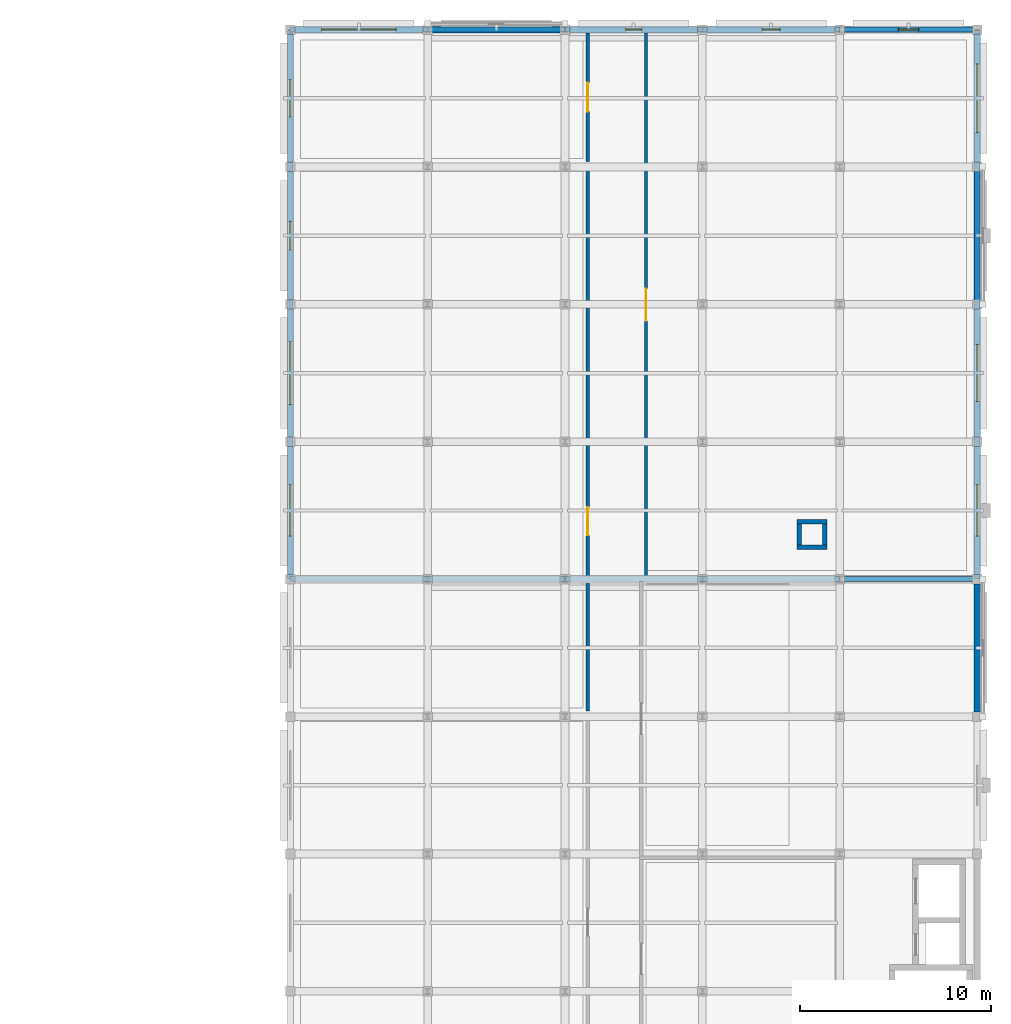
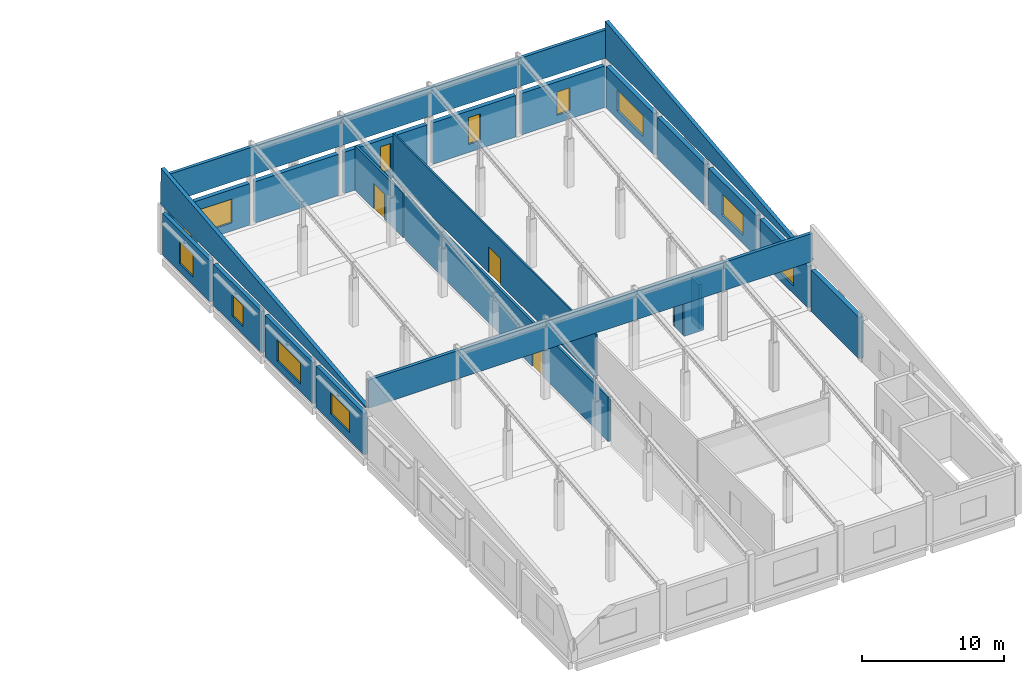
# One storey, part 26 of 33: 29 walls, 11 windows, 3 doors, 14 openings.
"""IFC4 building model written with IfcOpenShell, lengths in metres."""

from ifc_helpers import new_model, si_unit, direction, frame, frame_2d, origin, place, context, subcontext, project, spatial, polyline, rectangle, outline, extrude, material, layer, layer_set, type_object, element, fill, save


model = new_model("IFC4")

# Units and contexts
model_context = context("Model", 3, precision=1e-05, world=origin(), true_north=direction((0.0, 1.0)))
body_context = subcontext(model_context, "Body", "Model", "MODEL_VIEW")
ifc_project = project(units=[si_unit("LENGTHUNIT", "METRE"), si_unit("AREAUNIT", "SQUARE_METRE"), si_unit("VOLUMEUNIT", "CUBIC_METRE"), si_unit("PLANEANGLEUNIT", "RADIAN"), si_unit("MASSUNIT", "GRAM", prefix="KILO")], contexts=[model_context])

# Site, building, storey
site_placement = place(None, origin())
site = spatial("IfcSite", under=ifc_project, at=site_placement, CompositionType="ELEMENT")
building_placement = place(site_placement, origin())
building = spatial("IfcBuilding", under=site, at=building_placement, Name="Valkovuoma Quantum and Materials Research Institute", CompositionType="ELEMENT")
storey_placement = place(building_placement, frame((0.0, 0.0, 25.60009765625)))
storey = spatial("IfcBuildingStorey", under=building, at=storey_placement, Name="L06", CompositionType="ELEMENT", Elevation=25.60009765625)

# Walls
ifc_material_1 = material(Name="Precast concrete C40/50", Category="concrete")
ifc_layer_1 = layer(ifc_material_1, 0.300048828125)
ifc_layer_set_1 = layer_set([ifc_layer_1], Name="Precast concrete C40/50")
wall_type_1 = type_object("IfcWallType", Name="Wall-W-CHK300", PredefinedType="SHEAR", material=ifc_layer_set_1)
for number, where, z_axis, x_axis, name in (
    (1, (129.60009765625, 86.39990234375, 4.159912109375), (0.0, 0.0, 1.0), (0.0, 1.0, 0.0), "L06 VOL4 sawtooth cheek wall 2W"),
    (2, (165.60009765625, 86.39990234375, 4.159912109375), (0.0, 0.0, 1.0), (0.0, 1.0, 0.0), "L06 VOL4 sawtooth cheek wall 2E"),
):
    element("IfcWall", number, at=place(storey_placement, frame(where, z_axis=z_axis, x_axis=x_axis)), inside=storey, type_object=wall_type_1, Name=name, PredefinedType="SHEAR", context=body_context, shape_type="SweptSolid", body=[
        extrude(outline(polyline([(0.0, 0.0), (28.800048828125, 0.0), (28.800048828125, 0.119873046875), (28.760009765625, 3.119873046875), (0.0, 0.119873046875), (0.0, 0.0)])), frame((0.0, 0.14990234375, 0.0), z_axis=(0.0, -1.0, 0.0), x_axis=(1.0, 0.0, 0.0)), (0.0, 0.0, 1.0), 0.300048828125),
    ])

# Wall, opening, window
ifc_material_2 = material(Name="Precast concrete C40/50", Category="concrete")
ifc_layer_2 = layer(ifc_material_2, 0.300048828125)
ifc_layer_set_2 = layer_set([ifc_layer_2], Name="Precast concrete C40/50")
wall_type_2 = type_object("IfcWallType", Name="Wall-W-EXT300", PredefinedType="SOLIDWALL", material=ifc_layer_set_2)
wall_1_placement = place(storey_placement, frame((129.60009765625, 86.639892578125, 0.0), z_axis=(0.0, 0.0, 1.0), x_axis=(0.0, 1.0, 0.0)))
wall_1 = element("IfcWall", 3, at=wall_1_placement, inside=storey, type_object=wall_type_2, Name="L06 exterior wall 0376", PredefinedType="SOLIDWALL", context=body_context, shape_type="SweptSolid", body=[
    extrude(rectangle(XDim=6.72021484375, YDim=0.300048828125, at=frame_2d((3.360107421875, 0.0))), origin(), (0.0, 0.0, 1.0), 3.5498046875),
])
opening_1_placement = place(wall_1_placement, frame((2.010009765625, 0.0, 0.679931640625)))
opening_1 = element("IfcOpeningElement", 4, at=opening_1_placement, cuts=wall_1, Name="Opening WN-WL11", PredefinedType="OPENING", context=body_context, shape_type="SweptSolid", body=[
    extrude(rectangle(XDim=2.699951171875, YDim=1.800048828125, at=frame_2d((1.35009765625, 0.89990234375))), frame((0.0, 0.16015625, 0.0), z_axis=(0.0, -1.0, 0.0), x_axis=(1.0, 0.0, 0.0)), (0.0, 0.0, 1.0), 0.320068359375),
])
ifc_material_3 = material(Name="Triple low-E argon glazing in thermally broken aluminium frame", Category="aluminium")
window_type_1 = type_object("IfcWindowType", Name="Win-WN-WL11", PartitioningType="SINGLE_PANEL", PredefinedType="WINDOW", material=ifc_material_3)
window_1_placement = place(opening_1_placement, origin())
window_1 = element("IfcWindow", 5, at=window_1_placement, inside=storey, type_object=window_type_1, Name="L06 window 0370", OverallHeight=1.800048828125, OverallWidth=2.699951171875, PartitioningType="SINGLE_PANEL", PredefinedType="WINDOW", context=body_context, shape_type="SweptSolid", body=[
    extrude(rectangle(XDim=2.699951171875, YDim=1.800048828125, at=frame_2d((1.35009765625, 0.89990234375))), frame((0.0, 0.030029296875, 0.0), z_axis=(0.0, -1.0, 0.0), x_axis=(1.0, 0.0, 0.0)), (0.0, 0.0, 1.0), 0.06005859375),
])
fill(opening_1, window_1)

wall_2_placement = place(storey_placement, frame((129.60009765625, 93.840087890625, 0.0), z_axis=(0.0, 0.0, 1.0), x_axis=(0.0, 1.0, 0.0)))
wall_2 = element("IfcWall", 6, at=wall_2_placement, inside=storey, type_object=wall_type_2, Name="L06 exterior wall 0377", PredefinedType="SOLIDWALL", context=body_context, shape_type="SweptSolid", body=[
    extrude(rectangle(XDim=6.719970703125, YDim=0.300048828125, at=frame_2d((3.35986328125, 0.0))), origin(), (0.0, 0.0, 1.0), 3.5498046875),
])
opening_2_placement = place(wall_2_placement, frame((1.7099609375, 0.0, 0.679931640625)))
opening_2 = element("IfcOpeningElement", 7, at=opening_2_placement, cuts=wall_2, Name="Opening WN-WL13", PredefinedType="OPENING", context=body_context, shape_type="SweptSolid", body=[
    extrude(rectangle(XDim=3.300048828125, YDim=1.800048828125, at=frame_2d((1.64990234375, 0.89990234375))), frame((0.0, 0.16015625, 0.0), z_axis=(0.0, -1.0, 0.0), x_axis=(1.0, 0.0, 0.0)), (0.0, 0.0, 1.0), 0.320068359375),
])
ifc_material_4 = material(Name="Triple low-E argon glazing in thermally broken aluminium frame", Category="aluminium")
window_type_2 = type_object("IfcWindowType", Name="Win-WN-WL13", PartitioningType="SINGLE_PANEL", PredefinedType="WINDOW", material=ifc_material_4)
window_2_placement = place(opening_2_placement, origin())
window_2 = element("IfcWindow", 8, at=window_2_placement, inside=storey, type_object=window_type_2, Name="L06 window 0371", OverallHeight=1.800048828125, OverallWidth=3.300048828125, PartitioningType="SINGLE_PANEL", PredefinedType="WINDOW", context=body_context, shape_type="SweptSolid", body=[
    extrude(rectangle(XDim=3.300048828125, YDim=1.800048828125, at=frame_2d((1.64990234375, 0.89990234375))), frame((0.0, 0.030029296875, 0.0), z_axis=(0.0, -1.0, 0.0), x_axis=(1.0, 0.0, 0.0)), (0.0, 0.0, 1.0), 0.06005859375),
])
fill(opening_2, window_2)

wall_3_placement = place(storey_placement, frame((129.60009765625, 101.0400390625, 0.0), z_axis=(0.0, 0.0, 1.0), x_axis=(0.0, 1.0, 0.0)))
wall_3 = element("IfcWall", 9, at=wall_3_placement, inside=storey, type_object=wall_type_2, Name="L06 exterior wall 0378", PredefinedType="SOLIDWALL", context=body_context, shape_type="SweptSolid", body=[
    extrude(rectangle(XDim=6.719970703125, YDim=0.300048828125, at=frame_2d((3.35986328125, 0.0))), origin(), (0.0, 0.0, 1.0), 3.5498046875),
])
opening_3_placement = place(wall_3_placement, frame((2.610107421875, 0.0, 0.679931640625)))
opening_3 = element("IfcOpeningElement", 10, at=opening_3_placement, cuts=wall_3, Name="Opening WN-WL15", PredefinedType="OPENING", context=body_context, shape_type="SweptSolid", body=[
    extrude(rectangle(XDim=1.5, YDim=1.800048828125, at=frame_2d((0.75, 0.89990234375))), frame((0.0, 0.16015625, 0.0), z_axis=(0.0, -1.0, 0.0), x_axis=(1.0, 0.0, 0.0)), (0.0, 0.0, 1.0), 0.320068359375),
])
ifc_material_5 = material(Name="Triple low-E argon glazing in thermally broken aluminium frame", Category="aluminium")
window_type_3 = type_object("IfcWindowType", Name="Win-WN-WL15", PartitioningType="SINGLE_PANEL", PredefinedType="WINDOW", material=ifc_material_5)
window_3_placement = place(opening_3_placement, origin())
window_3 = element("IfcWindow", 11, at=window_3_placement, inside=storey, type_object=window_type_3, Name="L06 window 0372", OverallHeight=1.800048828125, OverallWidth=1.5, PartitioningType="SINGLE_PANEL", PredefinedType="WINDOW", context=body_context, shape_type="SweptSolid", body=[
    extrude(rectangle(XDim=1.5, YDim=1.800048828125, at=frame_2d((0.75, 0.89990234375))), frame((0.0, 0.030029296875, 0.0), z_axis=(0.0, -1.0, 0.0), x_axis=(1.0, 0.0, 0.0)), (0.0, 0.0, 1.0), 0.06005859375),
])
fill(opening_3, window_3)

wall_4_placement = place(storey_placement, frame((129.60009765625, 108.239990234375, 0.0), z_axis=(0.0, 0.0, 1.0), x_axis=(0.0, 1.0, 0.0)))
wall_4 = element("IfcWall", 12, at=wall_4_placement, inside=storey, type_object=wall_type_2, Name="L06 exterior wall 0379", PredefinedType="SOLIDWALL", context=body_context, shape_type="SweptSolid", body=[
    extrude(rectangle(XDim=6.719970703125, YDim=0.300048828125, at=frame_2d((3.35986328125, 0.0))), origin(), (0.0, 0.0, 1.0), 3.5498046875),
])
opening_4_placement = place(wall_4_placement, frame((2.385009765625, 0.0, 0.679931640625)))
opening_4 = element("IfcOpeningElement", 13, at=opening_4_placement, cuts=wall_4, Name="Opening WN-WL17", PredefinedType="OPENING", context=body_context, shape_type="SweptSolid", body=[
    extrude(rectangle(XDim=1.949951171875, YDim=1.949951171875, at=frame_2d((0.97509765625, 0.97509765625))), frame((0.0, 0.16015625, 0.0), z_axis=(0.0, -1.0, 0.0), x_axis=(1.0, 0.0, 0.0)), (0.0, 0.0, 1.0), 0.320068359375),
])
ifc_material_6 = material(Name="Triple low-E argon glazing in thermally broken aluminium frame", Category="aluminium")
window_type_4 = type_object("IfcWindowType", Name="Win-WN-WL17", PartitioningType="SINGLE_PANEL", PredefinedType="WINDOW", material=ifc_material_6)
window_4_placement = place(opening_4_placement, origin())
window_4 = element("IfcWindow", 14, at=window_4_placement, inside=storey, type_object=window_type_4, Name="L06 window 0373", OverallHeight=1.949951171875, OverallWidth=1.949951171875, PartitioningType="SINGLE_PANEL", PredefinedType="WINDOW", context=body_context, shape_type="SweptSolid", body=[
    extrude(rectangle(XDim=1.949951171875, YDim=1.949951171875, at=frame_2d((0.97509765625, 0.97509765625))), frame((0.0, 0.030029296875, 0.0), z_axis=(0.0, -1.0, 0.0), x_axis=(1.0, 0.0, 0.0)), (0.0, 0.0, 1.0), 0.06005859375),
])
fill(opening_4, window_4)

ifc_material_7 = material(Name="Precast concrete C40/50", Category="concrete")
ifc_layer_3 = layer(ifc_material_7, 0.340087890625)
ifc_layer_set_3 = layer_set([ifc_layer_3], Name="Precast concrete C40/50")
wall_type_3 = type_object("IfcWallType", Name="Wall-W-EXT340", PredefinedType="SOLIDWALL", material=ifc_layer_set_3)
wall_5_placement = place(storey_placement, frame((129.840087890625, 115.199951171875, 0.0), z_axis=(0.0, 0.0, 1.0), x_axis=(1.0, 0.0, 0.0)))
wall_5 = element("IfcWall", 15, at=wall_5_placement, inside=storey, type_object=wall_type_3, Name="L06 exterior wall 0367", PredefinedType="SOLIDWALL", context=body_context, shape_type="SweptSolid", body=[
    extrude(rectangle(XDim=6.719970703125, YDim=0.340087890625, at=frame_2d((3.35986328125, 0.0))), origin(), (0.0, 0.0, 1.0), 3.5498046875),
])
opening_5_placement = place(wall_5_placement, frame((1.409912109375, 0.0, 0.679931640625)))
opening_5 = element("IfcOpeningElement", 16, at=opening_5_placement, cuts=wall_5, Name="Opening WN-EX21", PredefinedType="OPENING", context=body_context, shape_type="SweptSolid", body=[
    extrude(rectangle(XDim=3.89990234375, YDim=2.050048828125, at=frame_2d((1.949951171875, 1.02490234375))), frame((0.0, 0.18017578125, 0.0), z_axis=(0.0, -1.0, 0.0), x_axis=(1.0, 0.0, 0.0)), (0.0, 0.0, 1.0), 0.360107421875),
])
ifc_material_8 = material(Name="Triple low-E argon glazing in thermally broken aluminium frame", Category="aluminium")
window_type_5 = type_object("IfcWindowType", Name="Win-WN-EX21", PartitioningType="SINGLE_PANEL", PredefinedType="WINDOW", material=ifc_material_8)
window_5_placement = place(opening_5_placement, origin())
window_5 = element("IfcWindow", 17, at=window_5_placement, inside=storey, type_object=window_type_5, Name="L06 window 0362", OverallHeight=2.050048828125, OverallWidth=3.89990234375, PartitioningType="SINGLE_PANEL", PredefinedType="WINDOW", context=body_context, shape_type="SweptSolid", body=[
    extrude(rectangle(XDim=3.89990234375, YDim=2.050048828125, at=frame_2d((1.949951171875, 1.02490234375))), frame((0.0, 0.030029296875, 0.0), z_axis=(0.0, -1.0, 0.0), x_axis=(1.0, 0.0, 0.0)), (0.0, 0.0, 1.0), 0.06005859375),
])
fill(opening_5, window_5)

# Wall
wall_6_placement = place(storey_placement, frame((137.0400390625, 115.199951171875, 0.0), z_axis=(0.0, 0.0, 1.0), x_axis=(1.0, 0.0, 0.0)))
element("IfcWall", 18, at=wall_6_placement, inside=storey, type_object=wall_type_3, Name="L06 exterior wall 0368", PredefinedType="SOLIDWALL", context=body_context, shape_type="SweptSolid", body=[
    extrude(rectangle(XDim=6.719970703125, YDim=0.340087890625, at=frame_2d((3.35986328125, 0.0))), origin(), (0.0, 0.0, 1.0), 3.5498046875),
])

# Wall, opening, window
wall_7_placement = place(storey_placement, frame((144.239990234375, 115.199951171875, 0.0), z_axis=(0.0, 0.0, 1.0), x_axis=(1.0, 0.0, 0.0)))
wall_7 = element("IfcWall", 19, at=wall_7_placement, inside=storey, type_object=wall_type_3, Name="L06 exterior wall 0369", PredefinedType="SOLIDWALL", context=body_context, shape_type="SweptSolid", body=[
    extrude(rectangle(XDim=6.719970703125, YDim=0.340087890625, at=frame_2d((3.35986328125, 0.0))), origin(), (0.0, 0.0, 1.0), 3.5498046875),
])
opening_6_placement = place(wall_7_placement, frame((2.93505859375, 0.0, 0.679931640625)))
opening_6 = element("IfcOpeningElement", 20, at=opening_6_placement, cuts=wall_7, Name="Opening WN-EX03", PredefinedType="OPENING", context=body_context, shape_type="SweptSolid", body=[
    extrude(rectangle(XDim=0.85009765625, YDim=2.300048828125, at=frame_2d((0.425048828125, 1.14990234375))), frame((0.0, 0.18017578125, 0.0), z_axis=(0.0, -1.0, 0.0), x_axis=(1.0, 0.0, 0.0)), (0.0, 0.0, 1.0), 0.360107421875),
])
ifc_material_9 = material(Name="Triple low-E argon glazing in thermally broken aluminium frame", Category="aluminium")
window_type_6 = type_object("IfcWindowType", Name="Win-WN-EX03", PartitioningType="SINGLE_PANEL", PredefinedType="WINDOW", material=ifc_material_9)
window_6_placement = place(opening_6_placement, origin())
window_6 = element("IfcWindow", 21, at=window_6_placement, inside=storey, type_object=window_type_6, Name="L06 window 0363", OverallHeight=2.300048828125, OverallWidth=0.85009765625, PartitioningType="SINGLE_PANEL", PredefinedType="WINDOW", context=body_context, shape_type="SweptSolid", body=[
    extrude(rectangle(XDim=0.85009765625, YDim=2.300048828125, at=frame_2d((0.425048828125, 1.14990234375))), frame((0.0, 0.030029296875, 0.0), z_axis=(0.0, -1.0, 0.0), x_axis=(1.0, 0.0, 0.0)), (0.0, 0.0, 1.0), 0.06005859375),
])
fill(opening_6, window_6)

wall_8_placement = place(storey_placement, frame((151.43994140625, 115.199951171875, 0.0), z_axis=(0.0, 0.0, 1.0), x_axis=(1.0, 0.0, 0.0)))
wall_8 = element("IfcWall", 22, at=wall_8_placement, inside=storey, type_object=wall_type_3, Name="L06 exterior wall 0370", PredefinedType="SOLIDWALL", context=body_context, shape_type="SweptSolid", body=[
    extrude(rectangle(XDim=6.719970703125, YDim=0.340087890625, at=frame_2d((3.35986328125, 0.0))), origin(), (0.0, 0.0, 1.0), 3.5498046875),
])
opening_7_placement = place(wall_8_placement, frame((2.885009765625, 0.0, 0.679931640625)))
opening_7 = element("IfcOpeningElement", 23, at=opening_7_placement, cuts=wall_8, Name="Opening WN-EX04", PredefinedType="OPENING", context=body_context, shape_type="SweptSolid", body=[
    extrude(rectangle(XDim=0.949951171875, YDim=2.300048828125, at=frame_2d((0.47509765625, 1.14990234375))), frame((0.0, 0.18017578125, 0.0), z_axis=(0.0, -1.0, 0.0), x_axis=(1.0, 0.0, 0.0)), (0.0, 0.0, 1.0), 0.360107421875),
])
ifc_material_10 = material(Name="Triple low-E argon glazing in thermally broken aluminium frame", Category="aluminium")
window_type_7 = type_object("IfcWindowType", Name="Win-WN-EX04", PartitioningType="SINGLE_PANEL", PredefinedType="WINDOW", material=ifc_material_10)
window_7_placement = place(opening_7_placement, origin())
window_7 = element("IfcWindow", 24, at=window_7_placement, inside=storey, type_object=window_type_7, Name="L06 window 0364", OverallHeight=2.300048828125, OverallWidth=0.949951171875, PartitioningType="SINGLE_PANEL", PredefinedType="WINDOW", context=body_context, shape_type="SweptSolid", body=[
    extrude(rectangle(XDim=0.949951171875, YDim=2.300048828125, at=frame_2d((0.47509765625, 1.14990234375))), frame((0.0, 0.030029296875, 0.0), z_axis=(0.0, -1.0, 0.0), x_axis=(1.0, 0.0, 0.0)), (0.0, 0.0, 1.0), 0.06005859375),
])
fill(opening_7, window_7)

wall_9_placement = place(storey_placement, frame((158.639892578125, 115.199951171875, 0.0), z_axis=(0.0, 0.0, 1.0), x_axis=(1.0, 0.0, 0.0)))
wall_9 = element("IfcWall", 25, at=wall_9_placement, inside=storey, type_object=wall_type_3, Name="L06 exterior wall 0371", PredefinedType="SOLIDWALL", context=body_context, shape_type="SweptSolid", body=[
    extrude(rectangle(XDim=6.72021484375, YDim=0.340087890625, at=frame_2d((3.360107421875, 0.0))), origin(), (0.0, 0.0, 1.0), 3.5498046875),
])
opening_8_placement = place(wall_9_placement, frame((2.8349609375, 0.0, 0.679931640625)))
opening_8 = element("IfcOpeningElement", 26, at=opening_8_placement, cuts=wall_9, Name="Opening WN-EX05", PredefinedType="OPENING", context=body_context, shape_type="SweptSolid", body=[
    extrude(rectangle(XDim=1.050048828125, YDim=2.0, at=frame_2d((0.52490234375, 1.0))), frame((0.0, 0.18017578125, 0.0), z_axis=(0.0, -1.0, 0.0), x_axis=(1.0, 0.0, 0.0)), (0.0, 0.0, 1.0), 0.360107421875),
])
ifc_material_11 = material(Name="Triple low-E argon glazing in thermally broken aluminium frame", Category="aluminium")
window_type_8 = type_object("IfcWindowType", Name="Win-WN-EX05", PartitioningType="SINGLE_PANEL", PredefinedType="WINDOW", material=ifc_material_11)
window_8_placement = place(opening_8_placement, origin())
window_8 = element("IfcWindow", 27, at=window_8_placement, inside=storey, type_object=window_type_8, Name="L06 window 0365", OverallHeight=2.0, OverallWidth=1.050048828125, PartitioningType="SINGLE_PANEL", PredefinedType="WINDOW", context=body_context, shape_type="SweptSolid", body=[
    extrude(rectangle(XDim=1.050048828125, YDim=2.0, at=frame_2d((0.52490234375, 1.0))), frame((0.0, 0.030029296875, 0.0), z_axis=(0.0, -1.0, 0.0), x_axis=(1.0, 0.0, 0.0)), (0.0, 0.0, 1.0), 0.06005859375),
])
fill(opening_8, window_8)

# Wall
ifc_material_12 = material(Name="Precast concrete C40/50", Category="concrete")
ifc_layer_4 = layer(ifc_material_12, 0.360107421875)
ifc_layer_set_4 = layer_set([ifc_layer_4], Name="Precast concrete C40/50")
wall_type_4 = type_object("IfcWallType", Name="Wall-W-EXT360", PredefinedType="SOLIDWALL", material=ifc_layer_set_4)
wall_10_placement = place(storey_placement, frame((165.60009765625, 79.43994140625, 0.0), z_axis=(0.0, 0.0, 1.0), x_axis=(0.0, 1.0, 0.0)))
element("IfcWall", 28, at=wall_10_placement, inside=storey, type_object=wall_type_4, Name="L06 exterior wall 0362", PredefinedType="SOLIDWALL", context=body_context, shape_type="SweptSolid", body=[
    extrude(rectangle(XDim=6.719970703125, YDim=0.360107421875, at=frame_2d((3.35986328125, 0.0))), origin(), (0.0, 0.0, 1.0), 3.5498046875),
])

# Wall, opening, window
wall_11_placement = place(storey_placement, frame((165.60009765625, 86.639892578125, 0.0), z_axis=(0.0, 0.0, 1.0), x_axis=(0.0, 1.0, 0.0)))
wall_11 = element("IfcWall", 29, at=wall_11_placement, inside=storey, type_object=wall_type_4, Name="L06 exterior wall 0363", PredefinedType="SOLIDWALL", context=body_context, shape_type="SweptSolid", body=[
    extrude(rectangle(XDim=6.72021484375, YDim=0.360107421875, at=frame_2d((3.360107421875, 0.0))), origin(), (0.0, 0.0, 1.0), 3.5498046875),
])
opening_9_placement = place(wall_11_placement, frame((2.010009765625, 0.0, 0.679931640625)))
opening_9 = element("IfcOpeningElement", 30, at=opening_9_placement, cuts=wall_11, Name="Opening WN-WL11", PredefinedType="OPENING", context=body_context, shape_type="SweptSolid", body=[
    extrude(rectangle(XDim=2.699951171875, YDim=1.800048828125, at=frame_2d((1.35009765625, 0.89990234375))), frame((0.0, 0.18994140625, 0.0), z_axis=(0.0, -1.0, 0.0), x_axis=(1.0, 0.0, 0.0)), (0.0, 0.0, 1.0), 0.380126953125),
])
window_9_placement = place(opening_9_placement, origin())
window_9 = element("IfcWindow", 31, at=window_9_placement, inside=storey, type_object=window_type_1, Name="L06 window 0359", OverallHeight=1.800048828125, OverallWidth=2.699951171875, PartitioningType="SINGLE_PANEL", PredefinedType="WINDOW", context=body_context, shape_type="SweptSolid", body=[
    extrude(rectangle(XDim=2.699951171875, YDim=1.800048828125, at=frame_2d((1.35009765625, 0.89990234375))), frame((0.0, 0.030029296875, 0.0), z_axis=(0.0, -1.0, 0.0), x_axis=(1.0, 0.0, 0.0)), (0.0, 0.0, 1.0), 0.06005859375),
])
fill(opening_9, window_9)

wall_12_placement = place(storey_placement, frame((165.60009765625, 93.840087890625, 0.0), z_axis=(0.0, 0.0, 1.0), x_axis=(0.0, 1.0, 0.0)))
wall_12 = element("IfcWall", 32, at=wall_12_placement, inside=storey, type_object=wall_type_4, Name="L06 exterior wall 0364", PredefinedType="SOLIDWALL", context=body_context, shape_type="SweptSolid", body=[
    extrude(rectangle(XDim=6.719970703125, YDim=0.360107421875, at=frame_2d((3.35986328125, 0.0))), origin(), (0.0, 0.0, 1.0), 3.5498046875),
])
opening_10_placement = place(wall_12_placement, frame((1.860107421875, 0.0, 0.679931640625)))
opening_10 = element("IfcOpeningElement", 33, at=opening_10_placement, cuts=wall_12, Name="Opening WN-WL12", PredefinedType="OPENING", context=body_context, shape_type="SweptSolid", body=[
    extrude(rectangle(XDim=3.0, YDim=1.800048828125, at=frame_2d((1.5, 0.89990234375))), frame((0.0, 0.18994140625, 0.0), z_axis=(0.0, -1.0, 0.0), x_axis=(1.0, 0.0, 0.0)), (0.0, 0.0, 1.0), 0.380126953125),
])
ifc_material_13 = material(Name="Triple low-E argon glazing in thermally broken aluminium frame", Category="aluminium")
window_type_9 = type_object("IfcWindowType", Name="Win-WN-WL12", PartitioningType="SINGLE_PANEL", PredefinedType="WINDOW", material=ifc_material_13)
window_10_placement = place(opening_10_placement, origin())
window_10 = element("IfcWindow", 34, at=window_10_placement, inside=storey, type_object=window_type_9, Name="L06 window 0360", OverallHeight=1.800048828125, OverallWidth=3.0, PartitioningType="SINGLE_PANEL", PredefinedType="WINDOW", context=body_context, shape_type="SweptSolid", body=[
    extrude(rectangle(XDim=3.0, YDim=1.800048828125, at=frame_2d((1.5, 0.89990234375))), frame((0.0, 0.030029296875, 0.0), z_axis=(0.0, -1.0, 0.0), x_axis=(1.0, 0.0, 0.0)), (0.0, 0.0, 1.0), 0.06005859375),
])
fill(opening_10, window_10)

# Wall
wall_13_placement = place(storey_placement, frame((165.60009765625, 101.0400390625, 0.0), z_axis=(0.0, 0.0, 1.0), x_axis=(0.0, 1.0, 0.0)))
element("IfcWall", 35, at=wall_13_placement, inside=storey, type_object=wall_type_4, Name="L06 exterior wall 0365", PredefinedType="SOLIDWALL", context=body_context, shape_type="SweptSolid", body=[
    extrude(rectangle(XDim=6.719970703125, YDim=0.360107421875, at=frame_2d((3.35986328125, 0.0))), origin(), (0.0, 0.0, 1.0), 3.5498046875),
])

# Wall, opening, window
wall_14_placement = place(storey_placement, frame((165.60009765625, 108.239990234375, 0.0), z_axis=(0.0, 0.0, 1.0), x_axis=(0.0, 1.0, 0.0)))
wall_14 = element("IfcWall", 36, at=wall_14_placement, inside=storey, type_object=wall_type_4, Name="L06 exterior wall 0366", PredefinedType="SOLIDWALL", context=body_context, shape_type="SweptSolid", body=[
    extrude(rectangle(XDim=6.719970703125, YDim=0.360107421875, at=frame_2d((3.35986328125, 0.0))), origin(), (0.0, 0.0, 1.0), 3.5498046875),
])
opening_11_placement = place(wall_14_placement, frame((1.56005859375, 0.0, 0.679931640625)))
opening_11 = element("IfcOpeningElement", 37, at=opening_11_placement, cuts=wall_14, Name="Opening WN-WL14", PredefinedType="OPENING", context=body_context, shape_type="SweptSolid", body=[
    extrude(rectangle(XDim=3.60009765625, YDim=1.800048828125, at=frame_2d((1.800048828125, 0.89990234375))), frame((0.0, 0.18994140625, 0.0), z_axis=(0.0, -1.0, 0.0), x_axis=(1.0, 0.0, 0.0)), (0.0, 0.0, 1.0), 0.380126953125),
])
ifc_material_14 = material(Name="Triple low-E argon glazing in thermally broken aluminium frame", Category="aluminium")
window_type_10 = type_object("IfcWindowType", Name="Win-WN-WL14", PartitioningType="SINGLE_PANEL", PredefinedType="WINDOW", material=ifc_material_14)
window_11_placement = place(opening_11_placement, origin())
window_11 = element("IfcWindow", 38, at=window_11_placement, inside=storey, type_object=window_type_10, Name="L06 window 0361", OverallHeight=1.800048828125, OverallWidth=3.60009765625, PartitioningType="SINGLE_PANEL", PredefinedType="WINDOW", context=body_context, shape_type="SweptSolid", body=[
    extrude(rectangle(XDim=3.60009765625, YDim=1.800048828125, at=frame_2d((1.800048828125, 0.89990234375))), frame((0.0, 0.030029296875, 0.0), z_axis=(0.0, -1.0, 0.0), x_axis=(1.0, 0.0, 0.0)), (0.0, 0.0, 1.0), 0.06005859375),
])
fill(opening_11, window_11)

# Walls
ifc_material_15 = material(Name="Precast concrete C40/50", Category="concrete")
ifc_layer_5 = layer(ifc_material_15, 0.260009765625)
ifc_layer_set_5 = layer_set([ifc_layer_5], Name="Precast concrete C40/50")
wall_type_5 = type_object("IfcWallType", Name="Wall-W-GAB260", PredefinedType="SOLIDWALL", material=ifc_layer_set_5)
for number, where, z_axis, x_axis, name in (
    (39, (129.60009765625, 86.39990234375, 4.159912109375), (0.0, 0.0, 1.0), (1.0, 0.0, 0.0), "L06 exterior wall 0424"),
    (40, (144.0, 86.39990234375, 4.159912109375), (0.0, 0.0, 1.0), (1.0, 0.0, 0.0), "L06 exterior wall 0425"),
):
    element("IfcWall", number, at=place(storey_placement, frame(where, z_axis=z_axis, x_axis=x_axis)), inside=storey, type_object=wall_type_5, Name=name, PredefinedType="SOLIDWALL", context=body_context, shape_type="SweptSolid", body=[
        extrude(rectangle(XDim=14.39990234375, YDim=0.260009765625, at=frame_2d((7.199951171875, 0.0))), origin(), (0.0, 0.0, 1.0), 2.419921875),
    ])
wall_15_placement = place(storey_placement, frame((158.39990234375, 86.39990234375, 4.159912109375), z_axis=(0.0, 0.0, 1.0), x_axis=(1.0, 0.0, 0.0)))
element("IfcWall", 41, at=wall_15_placement, inside=storey, type_object=wall_type_5, Name="L06 exterior wall 0426", PredefinedType="SOLIDWALL", context=body_context, shape_type="SweptSolid", body=[
    extrude(rectangle(XDim=7.2001953125, YDim=0.260009765625, at=frame_2d((3.60009765625, 0.0))), origin(), (0.0, 0.0, 1.0), 2.419921875),
])
for number, where, z_axis, x_axis, name in (
    (42, (129.60009765625, 115.199951171875, 4.159912109375), (0.0, 0.0, 1.0), (1.0, 0.0, 0.0), "L06 exterior wall 0429"),
    (43, (144.0, 115.199951171875, 4.159912109375), (0.0, 0.0, 1.0), (1.0, 0.0, 0.0), "L06 exterior wall 0430"),
):
    element("IfcWall", number, at=place(storey_placement, frame(where, z_axis=z_axis, x_axis=x_axis)), inside=storey, type_object=wall_type_5, Name=name, PredefinedType="SOLIDWALL", context=body_context, shape_type="SweptSolid", body=[
        extrude(rectangle(XDim=14.39990234375, YDim=0.260009765625, at=frame_2d((7.199951171875, 0.0))), origin(), (0.0, 0.0, 1.0), 2.419921875),
    ])
wall_16_placement = place(storey_placement, frame((158.39990234375, 115.199951171875, 4.159912109375), z_axis=(0.0, 0.0, 1.0), x_axis=(1.0, 0.0, 0.0)))
element("IfcWall", 44, at=wall_16_placement, inside=storey, type_object=wall_type_5, Name="L06 exterior wall 0431", PredefinedType="SOLIDWALL", context=body_context, shape_type="SweptSolid", body=[
    extrude(rectangle(XDim=7.2001953125, YDim=0.260009765625, at=frame_2d((3.60009765625, 0.0))), origin(), (0.0, 0.0, 1.0), 2.419921875),
])

# Wall, opening, door
ifc_material_16 = material(Name="Interior office stud partition", Category="masonry")
ifc_layer_6 = layer(ifc_material_16, 0.135009765625)
ifc_layer_set_6 = layer_set([ifc_layer_6], Name="Interior office stud partition")
wall_type_6 = type_object("IfcWallType", Name="Wall-W-PRT135", PredefinedType="PARTITIONING", material=ifc_layer_set_6)
wall_17_placement = place(storey_placement, frame((148.2451171875, 86.530029296875, 0.0), z_axis=(0.0, 0.0, 1.0), x_axis=(0.0, 1.0, 0.0)))
wall_17 = element("IfcWall", 45, at=wall_17_placement, inside=storey, type_object=wall_type_6, Name="L06 partition 0246", PredefinedType="PARTITIONING", context=body_context, shape_type="SweptSolid", body=[
    extrude(rectangle(XDim=28.5, YDim=0.135009765625, at=frame_2d((14.25, 0.0))), origin(), (0.0, 0.0, 1.0), 3.809814453125),
])
opening_12_placement = place(wall_17_placement, frame((13.409912109375, 0.0, 0.0)))
opening_12 = element("IfcOpeningElement", 46, at=opening_12_placement, cuts=wall_17, Name="Opening ID-0176", PredefinedType="OPENING", context=body_context, shape_type="SweptSolid", body=[
    extrude(rectangle(XDim=1.679931640625, YDim=2.219970703125, at=frame_2d((0.83984375, 1.10986328125))), frame((0.0, 0.07763671875, 0.0), z_axis=(0.0, -1.0, 0.0), x_axis=(1.0, 0.0, 0.0)), (0.0, 0.0, 1.0), 0.155029296875),
])
ifc_material_17 = material(Name="Powder-coated steel and acoustic timber door assembly", Category="steel")
door_type_1 = type_object("IfcDoorType", Name="Door-DR-RM16", OperationType="NOTDEFINED", PredefinedType="DOOR", material=ifc_material_17)
door_1_placement = place(opening_12_placement, origin())
door_1 = element("IfcDoor", 47, at=door_1_placement, inside=storey, type_object=door_type_1, Name="L06 room door 0176", OperationType="DOUBLE_DOOR_SINGLE_SWING", OverallHeight=2.219970703125, OverallWidth=1.679931640625, PredefinedType="DOOR", context=body_context, shape_type="SweptSolid", body=[
    extrude(rectangle(XDim=1.679931640625, YDim=2.219970703125, at=frame_2d((0.83984375, 1.10986328125))), frame((0.0, 0.02490234375, 0.0), z_axis=(0.0, -1.0, 0.0), x_axis=(1.0, 0.0, 0.0)), (0.0, 0.0, 1.0), 0.050048828125),
])
fill(opening_12, door_1)

ifc_material_18 = material(Name="Laboratory fire-rated gypsum partition", Category="masonry")
ifc_layer_7 = layer(ifc_material_18, 0.179931640625)
ifc_layer_set_7 = layer_set([ifc_layer_7], Name="Laboratory fire-rated gypsum partition")
wall_type_7 = type_object("IfcWallType", Name="Wall-W-PRT180", PredefinedType="PARTITIONING", material=ifc_layer_set_7)
wall_18_placement = place(storey_placement, frame((145.199951171875, 79.489990234375, 0.0), z_axis=(0.0, 0.0, 1.0), x_axis=(0.0, 1.0, 0.0)))
wall_18 = element("IfcWall", 48, at=wall_18_placement, inside=storey, type_object=wall_type_7, Name="L06 partition 0241", PredefinedType="PARTITIONING", context=body_context, shape_type="SweptSolid", body=[
    extrude(rectangle(XDim=28.419921875, YDim=0.179931640625, at=frame_2d((14.2099609375, 0.0))), origin(), (0.0, 0.0, 1.0), 3.809814453125),
])
opening_13_placement = place(wall_18_placement, frame((9.20703125, 0.0, 0.0)))
opening_13 = element("IfcOpeningElement", 49, at=opening_13_placement, cuts=wall_18, Name="Opening ID-0172", PredefinedType="OPENING", context=body_context, shape_type="SweptSolid", body=[
    extrude(rectangle(XDim=1.47998046875, YDim=2.179931640625, at=frame_2d((0.739990234375, 1.08984375))), frame((0.0, 0.10009765625, 0.0), z_axis=(0.0, -1.0, 0.0), x_axis=(1.0, 0.0, 0.0)), (0.0, 0.0, 1.0), 0.199951171875),
])
ifc_material_19 = material(Name="Powder-coated steel and acoustic timber door assembly", Category="steel")
door_type_2 = type_object("IfcDoorType", Name="Door-DR-RM12", OperationType="NOTDEFINED", PredefinedType="DOOR", material=ifc_material_19)
door_2_placement = place(opening_13_placement, origin())
door_2 = element("IfcDoor", 50, at=door_2_placement, inside=storey, type_object=door_type_2, Name="L06 room door 0172", OperationType="SINGLE_SWING_LEFT", OverallHeight=2.179931640625, OverallWidth=1.47998046875, PredefinedType="DOOR", context=body_context, shape_type="SweptSolid", body=[
    extrude(rectangle(XDim=1.47998046875, YDim=2.179931640625, at=frame_2d((0.739990234375, 1.08984375))), frame((0.0, 0.02490234375, 0.0), z_axis=(0.0, -1.0, 0.0), x_axis=(1.0, 0.0, 0.0)), (0.0, 0.0, 1.0), 0.050048828125),
])
fill(opening_13, door_2)

wall_19_placement = place(storey_placement, frame((145.199951171875, 108.2900390625, 0.0), z_axis=(0.0, 0.0, 1.0), x_axis=(0.0, 1.0, 0.0)))
wall_19 = element("IfcWall", 51, at=wall_19_placement, inside=storey, type_object=wall_type_7, Name="L06 partition 0242", PredefinedType="PARTITIONING", context=body_context, shape_type="SweptSolid", body=[
    extrude(rectangle(XDim=6.739990234375, YDim=0.179931640625, at=frame_2d((3.3701171875, 0.0))), origin(), (0.0, 0.0, 1.0), 3.809814453125),
])
opening_14_placement = place(wall_19_placement, frame((2.60498046875, 0.0, 0.0)))
opening_14 = element("IfcOpeningElement", 52, at=opening_14_placement, cuts=wall_19, Name="Opening ID-0173", PredefinedType="OPENING", context=body_context, shape_type="SweptSolid", body=[
    extrude(rectangle(XDim=1.530029296875, YDim=2.179931640625, at=frame_2d((0.76513671875, 1.08984375))), frame((0.0, 0.10009765625, 0.0), z_axis=(0.0, -1.0, 0.0), x_axis=(1.0, 0.0, 0.0)), (0.0, 0.0, 1.0), 0.199951171875),
])
ifc_material_20 = material(Name="Powder-coated steel and acoustic timber door assembly", Category="steel")
door_type_3 = type_object("IfcDoorType", Name="Door-DR-RM13", OperationType="NOTDEFINED", PredefinedType="DOOR", material=ifc_material_20)
door_3_placement = place(opening_14_placement, origin())
door_3 = element("IfcDoor", 53, at=door_3_placement, inside=storey, type_object=door_type_3, Name="L06 room door 0173", OperationType="SINGLE_SWING_RIGHT", OverallHeight=2.179931640625, OverallWidth=1.530029296875, PredefinedType="DOOR", context=body_context, shape_type="SweptSolid", body=[
    extrude(rectangle(XDim=1.530029296875, YDim=2.179931640625, at=frame_2d((0.76513671875, 1.08984375))), frame((0.0, 0.02490234375, 0.0), z_axis=(0.0, -1.0, 0.0), x_axis=(1.0, 0.0, 0.0)), (0.0, 0.0, 1.0), 0.050048828125),
])
fill(opening_14, door_3)

# Walls
ifc_material_21 = material(Name="Concrete C40/50", Category="concrete")
ifc_layer_8 = layer(ifc_material_21, 0.239990234375)
ifc_layer_set_8 = layer_set([ifc_layer_8], Name="Concrete C40/50")
wall_type_8 = type_object("IfcWallType", Name="Wall-W-SHF240", PredefinedType="SOLIDWALL", material=ifc_layer_set_8)
for number, where, z_axis, x_axis, name in (
    (54, (156.159912109375, 88.080078125, 0.0), (0.0, 0.0, 1.0), (1.0, 0.0, 0.0), "L06 core wall 0345"),
    (55, (156.159912109375, 89.419921875, 0.0), (0.0, 0.0, 1.0), (1.0, 0.0, 0.0), "L06 core wall 0346"),
):
    element("IfcWall", number, at=place(storey_placement, frame(where, z_axis=z_axis, x_axis=x_axis)), inside=storey, type_object=wall_type_8, Name=name, PredefinedType="SOLIDWALL", context=body_context, shape_type="SweptSolid", body=[
        extrude(rectangle(XDim=1.580078125, YDim=0.239990234375, at=frame_2d((0.7900390625, 0.0))), origin(), (0.0, 0.0, 1.0), 3.809814453125),
    ])
for number, where, z_axis, x_axis, name in (
    (56, (156.280029296875, 88.199951171875, 0.0), (0.0, 0.0, 1.0), (0.0, 1.0, 0.0), "L06 core wall 0347"),
    (57, (157.6201171875, 88.199951171875, 0.0), (0.0, 0.0, 1.0), (0.0, 1.0, 0.0), "L06 core wall 0348"),
):
    element("IfcWall", number, at=place(storey_placement, frame(where, z_axis=z_axis, x_axis=x_axis)), inside=storey, type_object=wall_type_8, Name=name, PredefinedType="SOLIDWALL", context=body_context, shape_type="SweptSolid", body=[
        extrude(rectangle(XDim=1.10009765625, YDim=0.239990234375, at=frame_2d((0.550048828125, 0.0))), origin(), (0.0, 0.0, 1.0), 3.809814453125),
    ])

save(model, "model.ifc")
